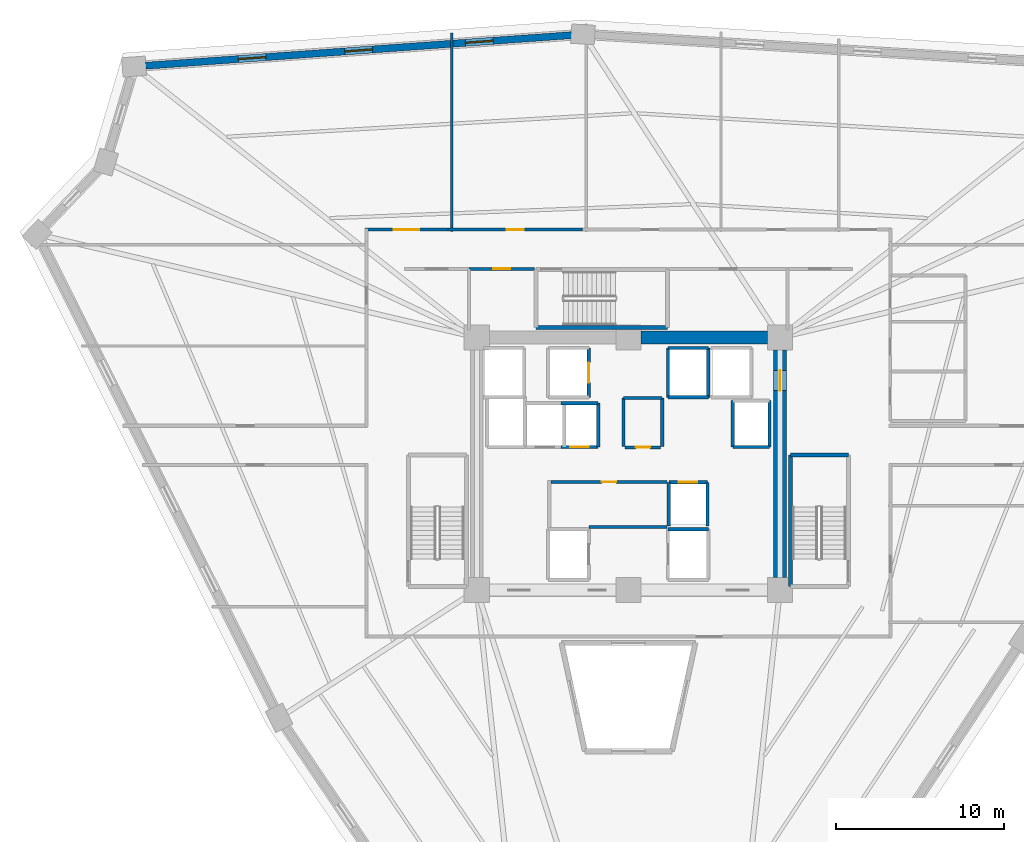
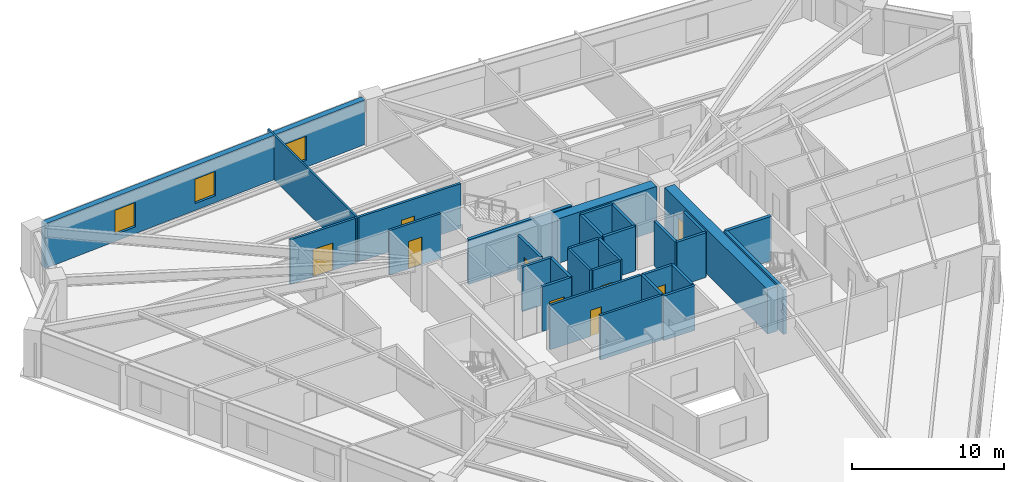
# One storey, part 5 of 8: 31 walls, 9 doors, 3 windows, 12 openings.
"""IFC4 building model written with IfcOpenShell, lengths in metres."""

from ifc_helpers import new_model, si_unit, direction, frame, frame_2d, origin, place, context, subcontext, project, spatial, rectangle, extrude, source, transform, mapped, material, layer, layer_set, type_object, element, fill, save


model = new_model("IFC4")

# Units and contexts
model_context = context("Model", 3, precision=1e-05, world=origin(), true_north=direction((0.0, 1.0)))
body_context = subcontext(model_context, "Body", "Model", "MODEL_VIEW")
ifc_project = project(units=[si_unit("LENGTHUNIT", "METRE"), si_unit("AREAUNIT", "SQUARE_METRE"), si_unit("VOLUMEUNIT", "CUBIC_METRE"), si_unit("PLANEANGLEUNIT", "RADIAN"), si_unit("MASSUNIT", "GRAM", prefix="KILO")], contexts=[model_context])

# Site, building, storey
site_placement = place(None, origin())
site = spatial("IfcSite", under=ifc_project, at=site_placement, CompositionType="ELEMENT")
building_placement = place(site_placement, origin())
building = spatial("IfcBuilding", under=site, at=building_placement, Name="Liaohun Quay Tower", CompositionType="ELEMENT")
storey_placement = place(building_placement, frame((0.0, 0.0, 155.25)))
storey = spatial("IfcBuildingStorey", under=building, at=storey_placement, Name="L40", CompositionType="ELEMENT", Elevation=155.25)

# Wall
ifc_material_1 = material(Name="Concrete C60", Category="concrete")
ifc_layer_1 = layer(ifc_material_1, 0.75, Name="Concrete C60", Category="concrete")
ifc_layer_set_1 = layer_set([ifc_layer_1], Name="Concrete C60")
wall_type_1 = type_object("IfcWallType", Name="WAL-COR-Z2", PredefinedType="SHEAR", material=ifc_layer_set_1)
wall_1_placement = place(storey_placement, frame((60.75, 61.5, 0.0), z_axis=(0.0, 0.0, 1.0), x_axis=(1.0, 0.0, 0.0)))
element("IfcWall", 1, at=wall_1_placement, inside=storey, type_object=wall_type_1, Name="L40 Central Core Shear Wall N-E", PredefinedType="SHEAR", context=body_context, shape_type="SweptSolid", body=[
    extrude(rectangle(XDim=7.5, YDim=0.75, at=frame_2d((3.75, 0.0))), origin(), (0.0, 0.0, 1.0), 3.570068359375),
])

# Wall, opening, door
wall_2_placement = place(storey_placement, frame((69.0, 60.75, 0.0), z_axis=(0.0, 0.0, 1.0), x_axis=(0.0, -1.0, 0.0)))
wall_2 = element("IfcWall", 2, at=wall_2_placement, inside=storey, type_object=wall_type_1, Name="L40 Central Core Shear Wall E", PredefinedType="SHEAR", context=body_context, shape_type="SweptSolid", body=[
    extrude(rectangle(XDim=13.5, YDim=0.75, at=frame_2d((6.75, 0.0))), origin(), (0.0, 0.0, 1.0), 3.570068359375),
])
shared_shape_1 = source(origin(), body_context, "Body", "SweptSolid", [
    extrude(rectangle(XDim=1.199951171875, YDim=2.199951171875, at=frame_2d((0.60009765625, 1.10009765625))), frame((0.0, 0.385009765625, 0.0), z_axis=(0.0, -1.0, 0.0), x_axis=(1.0, 0.0, 0.0)), (0.0, 0.0, 1.0), 0.77001953125),
])
opening_1_placement = place(wall_2_placement, frame((1.199951171875, 0.0, 0.0)))
opening_1 = element("IfcOpeningElement", 3, at=opening_1_placement, cuts=wall_2, Name="Opening SD1", PredefinedType="OPENING", context=body_context, shape_type="MappedRepresentation", body=[
    mapped(shared_shape_1, transform((0.0, 0.0, 0.0), x_axis=(1.0, 0.0, 0.0), y_axis=(0.0, 1.0, 0.0), z_axis=(0.0, 0.0, 1.0), scale=1.0)),
])
ifc_material_2 = material(Name="Galvanised steel fire door", Category="steel")
door_type_1 = type_object("IfcDoorType", Name="DOR-STR-1200", OperationType="NOTDEFINED", PredefinedType="DOOR", material=ifc_material_2)
shared_shape_2 = source(origin(), body_context, "Body", "SweptSolid", [
    extrude(rectangle(XDim=1.199951171875, YDim=2.199951171875, at=frame_2d((0.60009765625, 1.10009765625))), frame((0.0, 0.02490234375, 0.0), z_axis=(0.0, -1.0, 0.0), x_axis=(1.0, 0.0, 0.0)), (0.0, 0.0, 1.0), 0.050048828125),
])
door_1_placement = place(opening_1_placement, origin())
door_1 = element("IfcDoor", 4, at=door_1_placement, inside=storey, type_object=door_type_1, Name="L40 North-East Core Lobby Smokeproof Door", OperationType="SINGLE_SWING_LEFT", OverallHeight=2.199951171875, OverallWidth=1.199951171875, PredefinedType="DOOR", context=body_context, shape_type="MappedRepresentation", body=[
    mapped(shared_shape_2, transform((0.0, 0.0, 0.0), x_axis=(1.0, 0.0, 0.0), y_axis=(0.0, 1.0, 0.0), z_axis=(0.0, 0.0, 1.0), scale=1.0)),
])
fill(opening_1, door_1)

# Wall, openings, windows
ifc_material_3 = material(Name="Precast concrete C50 insulated sandwich", Category="concrete")
ifc_layer_2 = layer(ifc_material_3, 0.419921875, Name="Precast concrete C50 insulated sandwich", Category="concrete")
ifc_layer_set_2 = layer_set([ifc_layer_2], Name="Precast concrete C50 insulated sandwich")
wall_type_2 = type_object("IfcWallType", Name="WAL-EXT-Z12", PredefinedType="SOLIDWALL", material=ifc_layer_set_2)
wall_3_placement = place(storey_placement, frame((56.616943359375, 79.4560546875, 0.0), z_axis=(0.0, 0.0, 1.0), x_axis=(-0.997433557859, -0.071598167967, 0.0)))
wall_3 = element("IfcWall", 5, at=wall_3_placement, inside=storey, type_object=wall_type_2, Name="L40 Brutalist Precast Pier Wall 07", PredefinedType="SOLIDWALL", context=body_context, shape_type="SweptSolid", body=[
    extrude(rectangle(XDim=25.348876953125, YDim=0.419921875, at=frame_2d((12.67431640625, 0.0))), origin(), (0.0, 0.0, 1.0), 3.570068359375),
])
shared_shape_3 = source(origin(), body_context, "Body", "SweptSolid", [
    extrude(rectangle(XDim=1.64990234375, YDim=1.949951171875, at=frame_2d((0.824951171875, 0.97509765625))), frame((0.0, 0.219970703125, 0.0), z_axis=(0.0, -1.0, 0.0), x_axis=(1.0, 0.0, 0.0)), (0.0, 0.0, 1.0), 0.43994140625),
])
opening_2_placement = place(wall_3_placement, frame((4.662109375, 0.0, 0.550048828125)))
opening_2 = element("IfcOpeningElement", 6, at=opening_2_placement, cuts=wall_3, Name="Opening W02", PredefinedType="OPENING", context=body_context, shape_type="MappedRepresentation", body=[
    mapped(shared_shape_3, transform((0.0, 0.0, 0.0), x_axis=(1.0, 0.0, 0.0), y_axis=(0.0, 1.0, 0.0), z_axis=(0.0, 0.0, 1.0), scale=1.0)),
])
opening_3_placement = place(wall_3_placement, frame((11.85009765625, 0.0, 0.550048828125)))
opening_3 = element("IfcOpeningElement", 7, at=opening_3_placement, cuts=wall_3, Name="Opening W02", PredefinedType="OPENING", context=body_context, shape_type="MappedRepresentation", body=[
    mapped(shared_shape_3, transform((0.0, 0.0, 0.0), x_axis=(1.0, 0.0, 0.0), y_axis=(0.0, 1.0, 0.0), z_axis=(0.0, 0.0, 1.0), scale=1.0)),
])
opening_4_placement = place(wall_3_placement, frame((18.18701171875, 0.0, 0.550048828125)))
opening_4 = element("IfcOpeningElement", 8, at=opening_4_placement, cuts=wall_3, Name="Opening W02", PredefinedType="OPENING", context=body_context, shape_type="MappedRepresentation", body=[
    mapped(shared_shape_3, transform((0.0, 0.0, 0.0), x_axis=(1.0, 0.0, 0.0), y_axis=(0.0, 1.0, 0.0), z_axis=(0.0, 0.0, 1.0), scale=1.0)),
])
ifc_material_4 = material(Name="Triple Low-E argon glazing in thermally broken aluminium", Category="aluminium")
window_type = type_object("IfcWindowType", Name="WIN-PUN-Z2", PartitioningType="DOUBLE_PANEL_VERTICAL", PredefinedType="WINDOW", material=ifc_material_4)
shared_shape_4 = source(origin(), body_context, "Body", "SweptSolid", [
    extrude(rectangle(XDim=1.64990234375, YDim=1.949951171875, at=frame_2d((0.824951171875, 0.97509765625))), frame((0.0, 0.030029296875, 0.0), z_axis=(0.0, -1.0, 0.0), x_axis=(1.0, 0.0, 0.0)), (0.0, 0.0, 1.0), 0.06005859375),
])
window_1_placement = place(opening_2_placement, origin())
window_1 = element("IfcWindow", 9, at=window_1_placement, inside=storey, type_object=window_type, Name="L40 Recessed Cold-Climate Punched Window 07-1", OverallHeight=1.949951171875, OverallWidth=1.64990234375, PartitioningType="DOUBLE_PANEL_VERTICAL", PredefinedType="WINDOW", context=body_context, shape_type="MappedRepresentation", body=[
    mapped(shared_shape_4, transform((0.0, 0.0, 0.0), x_axis=(1.0, 0.0, 0.0), y_axis=(0.0, 1.0, 0.0), z_axis=(0.0, 0.0, 1.0), scale=1.0)),
])
fill(opening_2, window_1)
window_2_placement = place(opening_3_placement, origin())
window_2 = element("IfcWindow", 10, at=window_2_placement, inside=storey, type_object=window_type, Name="L40 Recessed Cold-Climate Punched Window 07-2", OverallHeight=1.949951171875, OverallWidth=1.64990234375, PartitioningType="DOUBLE_PANEL_VERTICAL", PredefinedType="WINDOW", context=body_context, shape_type="MappedRepresentation", body=[
    mapped(shared_shape_4, transform((0.0, 0.0, 0.0), x_axis=(1.0, 0.0, 0.0), y_axis=(0.0, 1.0, 0.0), z_axis=(0.0, 0.0, 1.0), scale=1.0)),
])
fill(opening_3, window_2)
window_3_placement = place(opening_4_placement, origin())
window_3 = element("IfcWindow", 11, at=window_3_placement, inside=storey, type_object=window_type, Name="L40 Recessed Cold-Climate Punched Window 07-3", OverallHeight=1.949951171875, OverallWidth=1.64990234375, PartitioningType="DOUBLE_PANEL_VERTICAL", PredefinedType="WINDOW", context=body_context, shape_type="MappedRepresentation", body=[
    mapped(shared_shape_4, transform((0.0, 0.0, 0.0), x_axis=(1.0, 0.0, 0.0), y_axis=(0.0, 1.0, 0.0), z_axis=(0.0, 0.0, 1.0), scale=1.0)),
])
fill(opening_4, window_3)

# Wall, opening, door
ifc_material_5 = material(Name="Autoclaved aerated concrete blockwork", Category="masonry")
ifc_layer_3 = layer(ifc_material_5, 0.179931640625, Name="Autoclaved aerated concrete blockwork", Category="masonry")
ifc_layer_set_3 = layer_set([ifc_layer_3], Name="Autoclaved aerated concrete blockwork")
wall_type_3 = type_object("IfcWallType", Name="WAL-PRT-COR", PredefinedType="PARTITIONING", material=ifc_layer_set_3)
wall_4_placement = place(storey_placement, frame((55.389892578125, 52.919921875, 0.0), z_axis=(0.0, 0.0, 1.0), x_axis=(1.0, 0.0, 0.0)))
wall_4 = element("IfcWall", 12, at=wall_4_placement, inside=storey, type_object=wall_type_3, Name="L40 Interior Partition Wall 001", PredefinedType="PARTITIONING", context=body_context, shape_type="SweptSolid", body=[
    extrude(rectangle(XDim=6.91015625, YDim=0.179931640625, at=frame_2d((3.455078125, 0.0))), origin(), (0.0, 0.0, 1.0), 3.570068359375),
])
shared_shape_5 = source(origin(), body_context, "Body", "SweptSolid", [
    extrude(rectangle(XDim=0.85009765625, YDim=2.10009765625, at=frame_2d((0.425048828125, 1.050048828125))), frame((0.0, 0.099853515625, 0.0), z_axis=(0.0, -1.0, 0.0), x_axis=(1.0, 0.0, 0.0)), (0.0, 0.0, 1.0), 0.199951171875),
])
opening_5_placement = place(wall_4_placement, frame((3.034912109375, 0.0, 0.0)))
opening_5 = element("IfcOpeningElement", 13, at=opening_5_placement, cuts=wall_4, Name="Opening AD1", PredefinedType="OPENING", context=body_context, shape_type="MappedRepresentation", body=[
    mapped(shared_shape_5, transform((0.0, 0.0, 0.0), x_axis=(1.0, 0.0, 0.0), y_axis=(0.0, 1.0, 0.0), z_axis=(0.0, 0.0, 1.0), scale=1.0)),
])
ifc_material_6 = material(Name="Steel riser inspection fire door", Category="steel")
door_type_2 = type_object("IfcDoorType", Name="DOR-SHF-850", OperationType="NOTDEFINED", PredefinedType="DOOR", material=ifc_material_6)
shared_shape_6 = source(origin(), body_context, "Body", "SweptSolid", [
    extrude(rectangle(XDim=0.85009765625, YDim=2.10009765625, at=frame_2d((0.425048828125, 1.050048828125))), frame((0.0, 0.02490234375, 0.0), z_axis=(0.0, -1.0, 0.0), x_axis=(1.0, 0.0, 0.0)), (0.0, 0.0, 1.0), 0.050048828125),
])
door_2_placement = place(opening_5_placement, origin())
door_2 = element("IfcDoor", 14, at=door_2_placement, inside=storey, type_object=door_type_2, Name="L40 Core Tenant Storage and Archive Room Door", OperationType="SINGLE_SWING_LEFT", OverallHeight=2.10009765625, OverallWidth=0.85009765625, PredefinedType="DOOR", context=body_context, shape_type="MappedRepresentation", body=[
    mapped(shared_shape_6, transform((0.0, 0.0, 0.0), x_axis=(1.0, 0.0, 0.0), y_axis=(0.0, 1.0, 0.0), z_axis=(0.0, 0.0, 1.0), scale=1.0)),
])
fill(opening_5, door_2)

wall_5_placement = place(storey_placement, frame((59.81005859375, 54.97998046875, 0.0), z_axis=(0.0, 0.0, 1.0), x_axis=(1.0, 0.0, 0.0)))
wall_5 = element("IfcWall", 15, at=wall_5_placement, inside=storey, type_object=wall_type_3, Name="L40 Interior Partition Wall 002", PredefinedType="PARTITIONING", context=body_context, shape_type="SweptSolid", body=[
    extrude(rectangle(XDim=2.10986328125, YDim=0.179931640625, at=frame_2d((1.054931640625, 0.0))), origin(), (0.0, 0.0, 1.0), 3.570068359375),
])
opening_6_placement = place(wall_5_placement, frame((0.635009765625, 0.0, 0.0)))
opening_6 = element("IfcOpeningElement", 16, at=opening_6_placement, cuts=wall_5, Name="Opening AD1", PredefinedType="OPENING", context=body_context, shape_type="MappedRepresentation", body=[
    mapped(shared_shape_5, transform((0.0, 0.0, 0.0), x_axis=(1.0, 0.0, 0.0), y_axis=(0.0, 1.0, 0.0), z_axis=(0.0, 0.0, 1.0), scale=1.0)),
])
door_3_placement = place(opening_6_placement, origin())
door_3 = element("IfcDoor", 17, at=door_3_placement, inside=storey, type_object=door_type_2, Name="L40 Core Electrical and Telecom Riser Room Door", OperationType="SINGLE_SWING_RIGHT", OverallHeight=2.10009765625, OverallWidth=0.85009765625, PredefinedType="DOOR", context=body_context, shape_type="MappedRepresentation", body=[
    mapped(shared_shape_6, transform((0.0, 0.0, 0.0), x_axis=(1.0, 0.0, 0.0), y_axis=(0.0, 1.0, 0.0), z_axis=(0.0, 0.0, 1.0), scale=1.0)),
])
fill(opening_6, door_3)

wall_6_placement = place(storey_placement, frame((50.5400390625, 65.580078125, 0.0), z_axis=(0.0, 0.0, 1.0), x_axis=(1.0, 0.0, 0.0)))
wall_6 = element("IfcWall", 18, at=wall_6_placement, inside=storey, type_object=wall_type_3, Name="L40 Interior Partition Wall 006", PredefinedType="PARTITIONING", context=body_context, shape_type="SweptSolid", body=[
    extrude(rectangle(XDim=3.869873046875, YDim=0.179931640625, at=frame_2d((1.93505859375, 0.0))), origin(), (0.0, 0.0, 1.0), 3.570068359375),
])
shared_shape_7 = source(origin(), body_context, "Body", "SweptSolid", [
    extrude(rectangle(XDim=1.0, YDim=2.199951171875, at=frame_2d((0.5, 1.10009765625))), frame((0.0, 0.099853515625, 0.0), z_axis=(0.0, -1.0, 0.0), x_axis=(1.0, 0.0, 0.0)), (0.0, 0.0, 1.0), 0.199951171875),
])
opening_7_placement = place(wall_6_placement, frame((1.43505859375, 0.0, 0.0)))
opening_7 = element("IfcOpeningElement", 19, at=opening_7_placement, cuts=wall_6, Name="Opening OD1", PredefinedType="OPENING", context=body_context, shape_type="MappedRepresentation", body=[
    mapped(shared_shape_7, transform((0.0, 0.0, 0.0), x_axis=(1.0, 0.0, 0.0), y_axis=(0.0, 1.0, 0.0), z_axis=(0.0, 0.0, 1.0), scale=1.0)),
])
ifc_material_7 = material(Name="Solid-core oak veneer timber leaf in steel frame", Category="steel")
door_type_3 = type_object("IfcDoorType", Name="DOR-OFF-1000", OperationType="NOTDEFINED", PredefinedType="DOOR", material=ifc_material_7)
shared_shape_8 = source(origin(), body_context, "Body", "SweptSolid", [
    extrude(rectangle(XDim=1.0, YDim=2.199951171875, at=frame_2d((0.5, 1.10009765625))), frame((0.0, 0.02490234375, 0.0), z_axis=(0.0, -1.0, 0.0), x_axis=(1.0, 0.0, 0.0)), (0.0, 0.0, 1.0), 0.050048828125),
])
door_4_placement = place(opening_7_placement, origin())
door_4 = element("IfcDoor", 20, at=door_4_placement, inside=storey, type_object=door_type_3, Name="L40 North-West Print and Telecom Room Door", OperationType="SINGLE_SWING_RIGHT", OverallHeight=2.199951171875, OverallWidth=1.0, PredefinedType="DOOR", context=body_context, shape_type="MappedRepresentation", body=[
    mapped(shared_shape_8, transform((0.0, 0.0, 0.0), x_axis=(1.0, 0.0, 0.0), y_axis=(0.0, 1.0, 0.0), z_axis=(0.0, 0.0, 1.0), scale=1.0)),
])
fill(opening_7, door_4)

wall_7_placement = place(storey_placement, frame((49.284912109375, 67.909912109375, 0.0), z_axis=(0.0, 0.0, 1.0), x_axis=(1.0, 0.0, 0.0)))
wall_7 = element("IfcWall", 21, at=wall_7_placement, inside=storey, type_object=wall_type_3, Name="L40 Interior Partition Wall 014", PredefinedType="PARTITIONING", context=body_context, shape_type="SweptSolid", body=[
    extrude(rectangle(XDim=8.0, YDim=0.179931640625, at=frame_2d((4.0, 0.0))), origin(), (0.0, 0.0, 1.0), 3.570068359375),
])
opening_8_placement = place(wall_7_placement, frame((3.5, 0.0, 0.0)))
opening_8 = element("IfcOpeningElement", 22, at=opening_8_placement, cuts=wall_7, Name="Opening OD1", PredefinedType="OPENING", context=body_context, shape_type="MappedRepresentation", body=[
    mapped(shared_shape_7, transform((0.0, 0.0, 0.0), x_axis=(1.0, 0.0, 0.0), y_axis=(0.0, 1.0, 0.0), z_axis=(0.0, 0.0, 1.0), scale=1.0)),
])
door_5_placement = place(opening_8_placement, origin())
door_5 = element("IfcDoor", 23, at=door_5_placement, inside=storey, type_object=door_type_3, Name="L40 Client Collaboration Lounge 05 Door", OperationType="SINGLE_SWING_RIGHT", OverallHeight=2.199951171875, OverallWidth=1.0, PredefinedType="DOOR", context=body_context, shape_type="MappedRepresentation", body=[
    mapped(shared_shape_8, transform((0.0, 0.0, 0.0), x_axis=(1.0, 0.0, 0.0), y_axis=(0.0, 1.0, 0.0), z_axis=(0.0, 0.0, 1.0), scale=1.0)),
])
fill(opening_8, door_5)

wall_8_placement = place(storey_placement, frame((44.3701171875, 67.909912109375, 0.0), z_axis=(0.0, 0.0, 1.0), x_axis=(1.0, 0.0, 0.0)))
wall_8 = element("IfcWall", 24, at=wall_8_placement, inside=storey, type_object=wall_type_3, Name="L40 Interior Partition Wall 015", PredefinedType="PARTITIONING", context=body_context, shape_type="SweptSolid", body=[
    extrude(rectangle(XDim=4.914794921875, YDim=0.179931640625, at=frame_2d((2.45751953125, 0.0))), origin(), (0.0, 0.0, 1.0), 3.570068359375),
])
shared_shape_9 = source(origin(), body_context, "Body", "SweptSolid", [
    extrude(rectangle(XDim=1.5, YDim=2.199951171875, at=frame_2d((0.75, 1.10009765625))), frame((0.0, 0.099853515625, 0.0), z_axis=(0.0, -1.0, 0.0), x_axis=(1.0, 0.0, 0.0)), (0.0, 0.0, 1.0), 0.199951171875),
])
opening_9_placement = place(wall_8_placement, frame((1.70703125, 0.0, 0.0)))
opening_9 = element("IfcOpeningElement", 25, at=opening_9_placement, cuts=wall_8, Name="Opening OD2", PredefinedType="OPENING", context=body_context, shape_type="MappedRepresentation", body=[
    mapped(shared_shape_9, transform((0.0, 0.0, 0.0), x_axis=(1.0, 0.0, 0.0), y_axis=(0.0, 1.0, 0.0), z_axis=(0.0, 0.0, 1.0), scale=1.0)),
])
ifc_material_8 = material(Name="Acoustic oak veneer double door")
door_type_4 = type_object("IfcDoorType", Name="DOR-OFF-1500", OperationType="DOUBLE_DOOR_SINGLE_SWING", PredefinedType="DOOR", material=ifc_material_8)
shared_shape_10 = source(origin(), body_context, "Body", "SweptSolid", [
    extrude(rectangle(XDim=1.5, YDim=2.199951171875, at=frame_2d((0.75, 1.10009765625))), frame((0.0, 0.02490234375, 0.0), z_axis=(0.0, -1.0, 0.0), x_axis=(1.0, 0.0, 0.0)), (0.0, 0.0, 1.0), 0.050048828125),
])
door_6_placement = place(opening_9_placement, origin())
door_6 = element("IfcDoor", 26, at=door_6_placement, inside=storey, type_object=door_type_4, Name="L40 Staff Tea Kitchen and Pantry 06 Door", OperationType="DOUBLE_DOOR_SINGLE_SWING", OverallHeight=2.199951171875, OverallWidth=1.5, PredefinedType="DOOR", context=body_context, shape_type="MappedRepresentation", body=[
    mapped(shared_shape_10, transform((0.0, 0.0, 0.0), x_axis=(1.0, 0.0, 0.0), y_axis=(0.0, 1.0, 0.0), z_axis=(0.0, 0.0, 1.0), scale=1.0)),
])
fill(opening_9, door_6)

# Walls
for number, where, z_axis, x_axis, name in (
    (27, (59.719970703125, 55.02001953125, 0.0), (0.0, 0.0, 1.0), (0.0, 1.0, 0.0), "L40 Interior Partition Wall 022"),
    (28, (62.010009765625, 55.02001953125, 0.0), (0.0, 0.0, 1.0), (0.0, 1.0, 0.0), "L40 Interior Partition Wall 023"),
):
    element("IfcWall", number, at=place(storey_placement, frame(where, z_axis=z_axis, x_axis=x_axis)), inside=storey, type_object=wall_type_3, Name=name, PredefinedType="PARTITIONING", context=body_context, shape_type="SweptSolid", body=[
        extrude(rectangle(XDim=2.8798828125, YDim=0.179931640625, at=frame_2d((1.43994140625, 0.0))), origin(), (0.0, 0.0, 1.0), 3.570068359375),
    ])
wall_9_placement = place(storey_placement, frame((59.719970703125, 57.919921875, 0.0), z_axis=(0.0, 0.0, 1.0), x_axis=(1.0, 0.0, 0.0)))
element("IfcWall", 29, at=wall_9_placement, inside=storey, type_object=wall_type_3, Name="L40 Interior Partition Wall 024", PredefinedType="PARTITIONING", context=body_context, shape_type="SweptSolid", body=[
    extrude(rectangle(XDim=2.2900390625, YDim=0.179931640625, at=frame_2d((1.14501953125, 0.0))), origin(), (0.0, 0.0, 1.0), 3.570068359375),
])
wall_10_placement = place(storey_placement, frame((57.64990234375, 50.25, 0.0), z_axis=(0.0, 0.0, 1.0), x_axis=(1.0, 0.0, 0.0)))
element("IfcWall", 30, at=wall_10_placement, inside=storey, type_object=wall_type_3, Name="L40 Interior Partition Wall 051", PredefinedType="PARTITIONING", context=body_context, shape_type="SweptSolid", body=[
    extrude(rectangle(XDim=4.650146484375, YDim=0.179931640625, at=frame_2d((2.3251953125, 0.0))), origin(), (0.0, 0.0, 1.0), 3.570068359375),
])
ifc_material_9 = material(Name="Gypsum board on twin steel studs", Category="steel")
ifc_layer_4 = layer(ifc_material_9, 0.139892578125, Name="Gypsum board on twin steel studs", Category="steel")
ifc_layer_set_4 = layer_set([ifc_layer_4], Name="Gypsum board on twin steel studs")
wall_type_4 = type_object("IfcWallType", Name="WAL-PRT-OFF", PredefinedType="PARTITIONING", material=ifc_layer_set_4)
wall_11_placement = place(storey_placement, frame((49.5, 67.81005859375, 0.0), z_axis=(0.0, 0.0, 1.0), x_axis=(0.0, 1.0, 0.0)))
element("IfcWall", 31, at=wall_11_placement, inside=storey, type_object=wall_type_4, Name="L40 Interior Partition Wall 046", PredefinedType="PARTITIONING", context=body_context, shape_type="SweptSolid", body=[
    extrude(rectangle(XDim=11.766845703125, YDim=0.139892578125, at=frame_2d((5.88330078125, 0.0))), origin(), (0.0, 0.0, 1.0), 3.570068359375),
])
ifc_material_10 = material(Name="Concrete C50", Category="concrete")
ifc_layer_5 = layer(ifc_material_10, 0.239990234375, Name="Concrete C50", Category="concrete")
ifc_layer_set_5 = layer_set([ifc_layer_5], Name="Concrete C50")
wall_type_5 = type_object("IfcWallType", Name="WAL-SHF-200", PredefinedType="SOLIDWALL", material=ifc_layer_set_5)
wall_12_placement = place(storey_placement, frame((73.06005859375, 54.52001953125, 0.0), z_axis=(0.0, 0.0, 1.0), x_axis=(-1.0, 0.0, 0.0)))
element("IfcWall", 32, at=wall_12_placement, inside=storey, type_object=wall_type_5, Name="L40 Stairwell ST-2 Structural Core Wall N", PredefinedType="SOLIDWALL", context=body_context, shape_type="SweptSolid", body=[
    extrude(rectangle(XDim=3.43994140625, YDim=0.239990234375, at=frame_2d((1.719970703125, 0.0))), origin(), (0.0, 0.0, 1.0), 3.570068359375),
])
for number, where, z_axis, x_axis, name in (
    (33, (69.6201171875, 54.52001953125, 0.0), (0.0, 0.0, 1.0), (0.0, -1.0, 0.0), "L40 Stairwell ST-2 Structural Core Wall W"),
    (34, (54.5, 62.10009765625, 0.0), (0.0, 0.0, 1.0), (1.0, 0.0, 0.0), "L40 Stairwell ST-3 Structural Core Wall S"),
):
    element("IfcWall", number, at=place(storey_placement, frame(where, z_axis=z_axis, x_axis=x_axis)), inside=storey, type_object=wall_type_5, Name=name, PredefinedType="SOLIDWALL", context=body_context, shape_type="SweptSolid", body=[
        extrude(rectangle(XDim=7.820068359375, YDim=0.239990234375, at=frame_2d((3.91015625, 0.0))), origin(), (0.0, 0.0, 1.0), 3.570068359375),
    ])
wall_13_placement = place(storey_placement, frame((64.75, 50.1201171875, 0.0), z_axis=(0.0, 0.0, 1.0), x_axis=(-1.0, 0.0, 0.0)))
element("IfcWall", 35, at=wall_13_placement, inside=storey, type_object=wall_type_5, Name="L40 Lift FF-02 Hoistway Wall N", PredefinedType="SOLIDWALL", context=body_context, shape_type="SweptSolid", body=[
    extrude(rectangle(XDim=2.39990234375, YDim=0.199951171875, at=frame_2d((1.199951171875, 0.0))), origin(), (0.0, 0.0, 1.0), 3.570068359375),
])

# Wall, opening, door
wall_14_placement = place(storey_placement, frame((57.64990234375, 57.949951171875, 0.0), z_axis=(0.0, 0.0, 1.0), x_axis=(0.0, 1.0, 0.0)))
wall_14 = element("IfcWall", 36, at=wall_14_placement, inside=storey, type_object=wall_type_5, Name="L40 Lift FF-03 Hoistway Wall E", PredefinedType="SOLIDWALL", context=body_context, shape_type="SweptSolid", body=[
    extrude(rectangle(XDim=2.929931640625, YDim=0.199951171875, at=frame_2d((1.46484375, 0.0))), origin(), (0.0, 0.0, 1.0), 3.570068359375),
])
shared_shape_11 = source(origin(), body_context, "Body", "SweptSolid", [
    extrude(rectangle(XDim=1.199951171875, YDim=2.300048828125, at=frame_2d((0.60009765625, 1.14990234375))), frame((0.0, 0.10986328125, 0.0), z_axis=(0.0, -1.0, 0.0), x_axis=(1.0, 0.0, 0.0)), (0.0, 0.0, 1.0), 0.219970703125),
])
opening_10_placement = place(wall_14_placement, frame((0.864990234375, 0.0, 0.0)))
opening_10 = element("IfcOpeningElement", 37, at=opening_10_placement, cuts=wall_14, Name="Opening LD2", PredefinedType="OPENING", context=body_context, shape_type="MappedRepresentation", body=[
    mapped(shared_shape_11, transform((0.0, 0.0, 0.0), x_axis=(1.0, 0.0, 0.0), y_axis=(0.0, 1.0, 0.0), z_axis=(0.0, 0.0, 1.0), scale=1.0)),
])
ifc_material_11 = material(Name="Brushed stainless steel stretcher landing door", Category="steel")
door_type_5 = type_object("IfcDoorType", Name="DOR-LFT-1200", OperationType="SLIDING_TO_LEFT", PredefinedType="DOOR", material=ifc_material_11)
shared_shape_12 = source(origin(), body_context, "Body", "SweptSolid", [
    extrude(rectangle(XDim=1.199951171875, YDim=2.300048828125, at=frame_2d((0.60009765625, 1.14990234375))), frame((0.0, 0.02490234375, 0.0), z_axis=(0.0, -1.0, 0.0), x_axis=(1.0, 0.0, 0.0)), (0.0, 0.0, 1.0), 0.050048828125),
])
door_7_placement = place(opening_10_placement, origin())
door_7 = element("IfcDoor", 38, at=door_7_placement, inside=storey, type_object=door_type_5, Name="L40 Lift FF-03 Sliding Landing Door", OperationType="SLIDING_TO_LEFT", OverallHeight=2.300048828125, OverallWidth=1.199951171875, PredefinedType="DOOR", context=body_context, shape_type="MappedRepresentation", body=[
    mapped(shared_shape_12, transform((0.0, 0.0, 0.0), x_axis=(1.0, 0.0, 0.0), y_axis=(0.0, 1.0, 0.0), z_axis=(0.0, 0.0, 1.0), scale=1.0)),
])
fill(opening_10, door_7)

# Walls
wall_15_placement = place(storey_placement, frame((62.35009765625, 57.949951171875, 0.0), z_axis=(0.0, 0.0, 1.0), x_axis=(1.0, 0.0, 0.0)))
element("IfcWall", 39, at=wall_15_placement, inside=storey, type_object=wall_type_5, Name="L40 Lift OB-01 Hoistway Wall S", PredefinedType="SOLIDWALL", context=body_context, shape_type="SweptSolid", body=[
    extrude(rectangle(XDim=2.39990234375, YDim=0.199951171875, at=frame_2d((1.199951171875, 0.0))), origin(), (0.0, 0.0, 1.0), 3.570068359375),
])
wall_16_placement = place(storey_placement, frame((64.75, 57.949951171875, 0.0), z_axis=(0.0, 0.0, 1.0), x_axis=(0.0, 1.0, 0.0)))
element("IfcWall", 40, at=wall_16_placement, inside=storey, type_object=wall_type_5, Name="L40 Lift OB-01 Hoistway Wall E", PredefinedType="SOLIDWALL", context=body_context, shape_type="SweptSolid", body=[
    extrude(rectangle(XDim=2.929931640625, YDim=0.199951171875, at=frame_2d((1.46484375, 0.0))), origin(), (0.0, 0.0, 1.0), 3.570068359375),
])
wall_17_placement = place(storey_placement, frame((64.75, 60.8798828125, 0.0), z_axis=(0.0, 0.0, 1.0), x_axis=(-1.0, 0.0, 0.0)))
element("IfcWall", 41, at=wall_17_placement, inside=storey, type_object=wall_type_5, Name="L40 Lift OB-01 Hoistway Wall N", PredefinedType="SOLIDWALL", context=body_context, shape_type="SweptSolid", body=[
    extrude(rectangle(XDim=2.39990234375, YDim=0.199951171875, at=frame_2d((1.199951171875, 0.0))), origin(), (0.0, 0.0, 1.0), 3.570068359375),
])
wall_18_placement = place(storey_placement, frame((62.35009765625, 60.8798828125, 0.0), z_axis=(0.0, 0.0, 1.0), x_axis=(0.0, -1.0, 0.0)))
element("IfcWall", 42, at=wall_18_placement, inside=storey, type_object=wall_type_5, Name="L40 Lift OB-01 Hoistway Wall W", PredefinedType="SOLIDWALL", context=body_context, shape_type="SweptSolid", body=[
    extrude(rectangle(XDim=2.929931640625, YDim=0.199951171875, at=frame_2d((1.46484375, 0.0))), origin(), (0.0, 0.0, 1.0), 3.570068359375),
])
wall_19_placement = place(storey_placement, frame((66.199951171875, 55.0, 0.0), z_axis=(0.0, 0.0, 1.0), x_axis=(1.0, 0.0, 0.0)))
element("IfcWall", 43, at=wall_19_placement, inside=storey, type_object=wall_type_5, Name="L40 Lift SH-03 Hoistway Wall S", PredefinedType="SOLIDWALL", context=body_context, shape_type="SweptSolid", body=[
    extrude(rectangle(XDim=2.179931640625, YDim=0.199951171875, at=frame_2d((1.08984375, 0.0))), origin(), (0.0, 0.0, 1.0), 3.570068359375),
])
for number, where, z_axis, x_axis, name in (
    (44, (68.3798828125, 55.0, 0.0), (0.0, 0.0, 1.0), (0.0, 1.0, 0.0), "L40 Lift SH-03 Hoistway Wall E"),
    (45, (66.199951171875, 57.75, 0.0), (0.0, 0.0, 1.0), (0.0, -1.0, 0.0), "L40 Lift SH-03 Hoistway Wall W"),
):
    element("IfcWall", number, at=place(storey_placement, frame(where, z_axis=z_axis, x_axis=x_axis)), inside=storey, type_object=wall_type_5, Name=name, PredefinedType="SOLIDWALL", context=body_context, shape_type="SweptSolid", body=[
        extrude(rectangle(XDim=2.75, YDim=0.199951171875, at=frame_2d((1.375, 0.0))), origin(), (0.0, 0.0, 1.0), 3.570068359375),
    ])
wall_20_placement = place(storey_placement, frame((64.699951171875, 50.300048828125, 0.0), z_axis=(0.0, 0.0, 1.0), x_axis=(0.0, 1.0, 0.0)))
element("IfcWall", 46, at=wall_20_placement, inside=storey, type_object=wall_type_5, Name="L40 Lift PL-2A Hoistway Wall E", PredefinedType="SOLIDWALL", context=body_context, shape_type="SweptSolid", body=[
    extrude(rectangle(XDim=2.599853515625, YDim=0.199951171875, at=frame_2d((1.2998046875, 0.0))), origin(), (0.0, 0.0, 1.0), 3.570068359375),
])

# Wall, opening, door
wall_21_placement = place(storey_placement, frame((64.699951171875, 52.89990234375, 0.0), z_axis=(0.0, 0.0, 1.0), x_axis=(-1.0, 0.0, 0.0)))
wall_21 = element("IfcWall", 47, at=wall_21_placement, inside=storey, type_object=wall_type_5, Name="L40 Lift PL-2A Hoistway Wall N", PredefinedType="SOLIDWALL", context=body_context, shape_type="SweptSolid", body=[
    extrude(rectangle(XDim=2.300048828125, YDim=0.199951171875, at=frame_2d((1.14990234375, 0.0))), origin(), (0.0, 0.0, 1.0), 3.570068359375),
])
shared_shape_13 = source(origin(), body_context, "Body", "SweptSolid", [
    extrude(rectangle(XDim=1.10009765625, YDim=2.199951171875, at=frame_2d((0.550048828125, 1.10009765625))), frame((0.0, 0.10986328125, 0.0), z_axis=(0.0, -1.0, 0.0), x_axis=(1.0, 0.0, 0.0)), (0.0, 0.0, 1.0), 0.219970703125),
])
opening_11_placement = place(wall_21_placement, frame((0.60009765625, 0.0, 0.0)))
opening_11 = element("IfcOpeningElement", 48, at=opening_11_placement, cuts=wall_21, Name="Opening LD1", PredefinedType="OPENING", context=body_context, shape_type="MappedRepresentation", body=[
    mapped(shared_shape_13, transform((0.0, 0.0, 0.0), x_axis=(1.0, 0.0, 0.0), y_axis=(0.0, 1.0, 0.0), z_axis=(0.0, 0.0, 1.0), scale=1.0)),
])
ifc_material_12 = material(Name="Brushed stainless steel landing door", Category="steel")
door_type_6 = type_object("IfcDoorType", Name="DOR-LFT-1100", OperationType="SLIDING_TO_LEFT", PredefinedType="DOOR", material=ifc_material_12)
shared_shape_14 = source(origin(), body_context, "Body", "SweptSolid", [
    extrude(rectangle(XDim=1.10009765625, YDim=2.199951171875, at=frame_2d((0.550048828125, 1.10009765625))), frame((0.0, 0.02490234375, 0.0), z_axis=(0.0, -1.0, 0.0), x_axis=(1.0, 0.0, 0.0)), (0.0, 0.0, 1.0), 0.050048828125),
])
door_8_placement = place(opening_11_placement, origin())
door_8 = element("IfcDoor", 49, at=door_8_placement, inside=storey, type_object=door_type_6, Name="L40 Lift PL-2A Sliding Landing Door", OperationType="SLIDING_TO_LEFT", OverallHeight=2.199951171875, OverallWidth=1.10009765625, PredefinedType="DOOR", context=body_context, shape_type="MappedRepresentation", body=[
    mapped(shared_shape_14, transform((0.0, 0.0, 0.0), x_axis=(1.0, 0.0, 0.0), y_axis=(0.0, 1.0, 0.0), z_axis=(0.0, 0.0, 1.0), scale=1.0)),
])
fill(opening_11, door_8)

# Wall
wall_22_placement = place(storey_placement, frame((62.39990234375, 52.89990234375, 0.0), z_axis=(0.0, 0.0, 1.0), x_axis=(0.0, -1.0, 0.0)))
element("IfcWall", 50, at=wall_22_placement, inside=storey, type_object=wall_type_5, Name="L40 Lift PL-2A Hoistway Wall W", PredefinedType="SOLIDWALL", context=body_context, shape_type="SweptSolid", body=[
    extrude(rectangle(XDim=2.599853515625, YDim=0.199951171875, at=frame_2d((1.2998046875, 0.0))), origin(), (0.0, 0.0, 1.0), 3.570068359375),
])

# Wall, opening, door
wall_23_placement = place(storey_placement, frame((56.0, 55.0, 0.0), z_axis=(0.0, 0.0, 1.0), x_axis=(1.0, 0.0, 0.0)))
wall_23 = element("IfcWall", 51, at=wall_23_placement, inside=storey, type_object=wall_type_5, Name="L40 Lift PL-2C Hoistway Wall S", PredefinedType="SOLIDWALL", context=body_context, shape_type="SweptSolid", body=[
    extrude(rectangle(XDim=2.199951171875, YDim=0.199951171875, at=frame_2d((1.10009765625, 0.0))), origin(), (0.0, 0.0, 1.0), 3.570068359375),
])
opening_12_placement = place(wall_23_placement, frame((0.550048828125, 0.0, 0.0)))
opening_12 = element("IfcOpeningElement", 52, at=opening_12_placement, cuts=wall_23, Name="Opening LD1", PredefinedType="OPENING", context=body_context, shape_type="MappedRepresentation", body=[
    mapped(shared_shape_13, transform((0.0, 0.0, 0.0), x_axis=(1.0, 0.0, 0.0), y_axis=(0.0, 1.0, 0.0), z_axis=(0.0, 0.0, 1.0), scale=1.0)),
])
door_9_placement = place(opening_12_placement, origin())
door_9 = element("IfcDoor", 53, at=door_9_placement, inside=storey, type_object=door_type_6, Name="L40 Lift PL-2C Sliding Landing Door", OperationType="SLIDING_TO_LEFT", OverallHeight=2.199951171875, OverallWidth=1.10009765625, PredefinedType="DOOR", context=body_context, shape_type="MappedRepresentation", body=[
    mapped(shared_shape_14, transform((0.0, 0.0, 0.0), x_axis=(1.0, 0.0, 0.0), y_axis=(0.0, 1.0, 0.0), z_axis=(0.0, 0.0, 1.0), scale=1.0)),
])
fill(opening_12, door_9)

# Walls
wall_24_placement = place(storey_placement, frame((58.199951171875, 55.0, 0.0), z_axis=(0.0, 0.0, 1.0), x_axis=(0.0, 1.0, 0.0)))
element("IfcWall", 54, at=wall_24_placement, inside=storey, type_object=wall_type_5, Name="L40 Lift PL-2C Hoistway Wall E", PredefinedType="SOLIDWALL", context=body_context, shape_type="SweptSolid", body=[
    extrude(rectangle(XDim=2.60009765625, YDim=0.199951171875, at=frame_2d((1.300048828125, 0.0))), origin(), (0.0, 0.0, 1.0), 3.570068359375),
])
wall_25_placement = place(storey_placement, frame((58.199951171875, 57.60009765625, 0.0), z_axis=(0.0, 0.0, 1.0), x_axis=(-1.0, 0.0, 0.0)))
element("IfcWall", 55, at=wall_25_placement, inside=storey, type_object=wall_type_5, Name="L40 Lift PL-2C Hoistway Wall N", PredefinedType="SOLIDWALL", context=body_context, shape_type="SweptSolid", body=[
    extrude(rectangle(XDim=2.199951171875, YDim=0.199951171875, at=frame_2d((1.10009765625, 0.0))), origin(), (0.0, 0.0, 1.0), 3.570068359375),
])

save(model, "model.ifc")
